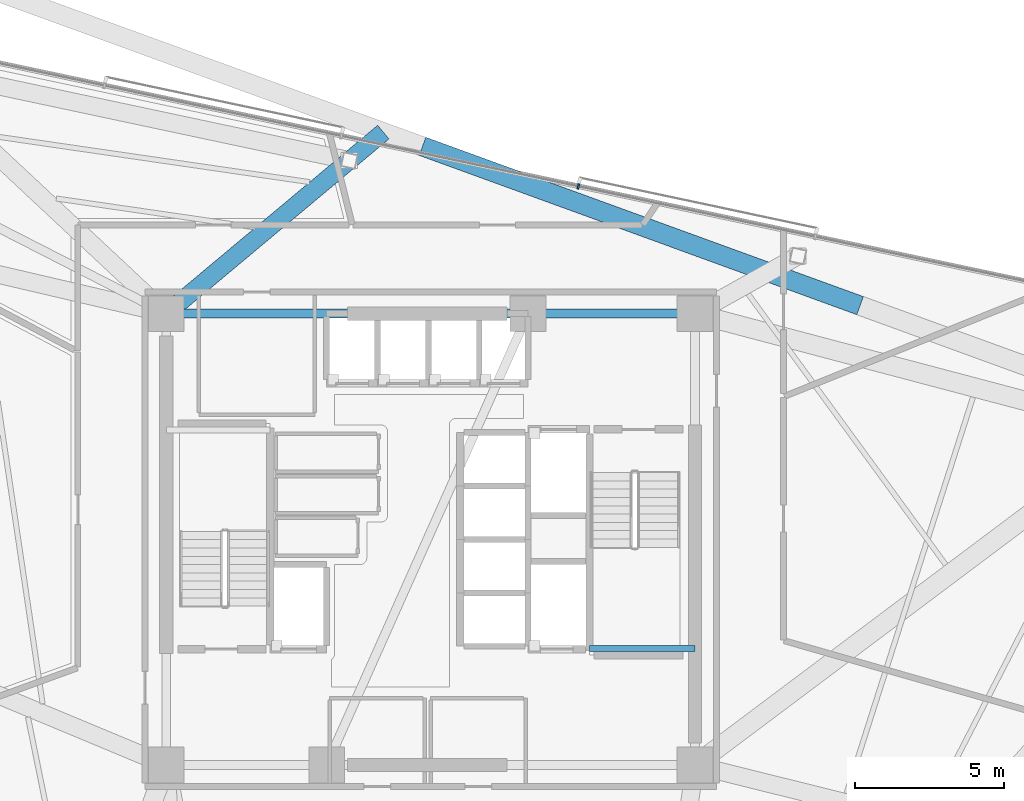
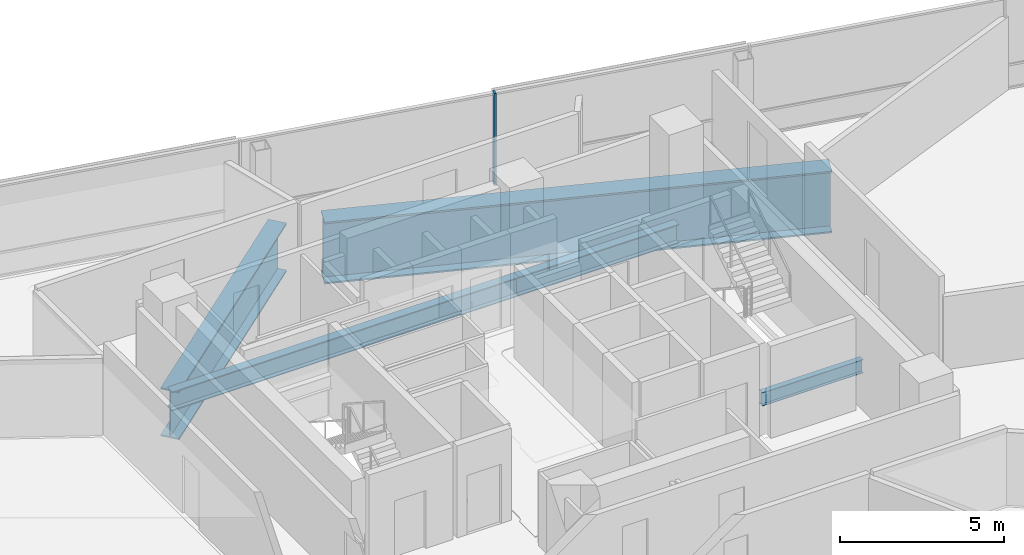
# One storey, part 6 of 17: 5 beams, 1 member, 1 element without a shape of its own.
"""IFC4 building model written with IfcOpenShell, lengths in metres."""

from ifc_helpers import new_model, si_unit, direction, frame, origin, origin_2d, place, context, subcontext, project, spatial, rectangle, i_section, extrude, material, layer, layer_set, material_profile, profile_set, type_object, element, aggregate, save


model = new_model("IFC4")

# Units and contexts
model_context = context("Model", 3, precision=1e-05, world=origin(), true_north=direction((0.0, 1.0)))
body_context = subcontext(model_context, "Body", "Model", "MODEL_VIEW")
ifc_project = project(units=[si_unit("LENGTHUNIT", "METRE"), si_unit("AREAUNIT", "SQUARE_METRE"), si_unit("VOLUMEUNIT", "CUBIC_METRE"), si_unit("PLANEANGLEUNIT", "RADIAN"), si_unit("MASSUNIT", "GRAM", prefix="KILO")], contexts=[model_context])

# Site, building, storey
site_placement = place(None, origin())
site = spatial("IfcSite", under=ifc_project, at=site_placement, CompositionType="ELEMENT")
building_placement = place(site_placement, origin())
building = spatial("IfcBuilding", under=site, at=building_placement, Name="Tharavind Bronze Gate", CompositionType="ELEMENT")
storey_placement = place(building_placement, frame((0.0, 0.0, 196.85009765625)))
storey = spatial("IfcBuildingStorey", under=building, at=storey_placement, Name="L50", CompositionType="ELEMENT", Elevation=196.85009765625)

# Curtain wall, member
ifc_material_1 = material(Name="Anodised Bronze Aluminium", Category="aluminium")
ifc_layer = layer(ifc_material_1, 0.219970703125)
ifc_layer_set = layer_set([ifc_layer], Name="Anodised Bronze Aluminium")
curtain_wall_type = type_object("IfcCurtainWallType", Name="UNITISED CURTAIN WALL MID OFFICE", PredefinedType="USERDEFINED", material=ifc_layer_set)
curtain_wall_placement = place(storey_placement, origin())
curtain_wall = element("IfcCurtainWall", 1, at=curtain_wall_placement, inside=storey, type_object=curtain_wall_type, Name="L50 unitised curtain wall mid office CW-L50-S3", ObjectType="UNITISED CURTAIN WALL", PredefinedType="USERDEFINED")
member_type = type_object("IfcMemberType", Name="CURTAIN WALL BRONZE MULLION 65X180", PredefinedType="MULLION", material=ifc_material_1)
member_placement = place(storey_placement, frame((4.97265625, 11.880615234375, 0.0), z_axis=(0.0, 0.0, 1.0), x_axis=(-0.978147600734, 0.207911690818, 0.0)))
member = element("IfcMember", 2, at=member_placement, type_object=member_type, Name="CW-L50-S3 mullion 4", PredefinedType="MULLION", context=body_context, shape_type="SweptSolid", body=[
    extrude(rectangle(XDim=0.06494140625, YDim=0.179931640625, at=origin_2d()), origin(), (0.0, 0.0, 1.0), 3.419921875),
])
aggregate(curtain_wall, [member])

# Beams
ifc_material_2 = material(Name="Steel S355", Category="steel")
ifc_material_profile_1 = material_profile(ifc_material_2, i_section(OverallWidth=0.199951171875, OverallDepth=0.5, WebThickness=0.01025390625, FlangeThickness=0.01611328125, at=origin_2d()), Name="IPE500")
ifc_profile_set_1 = profile_set([ifc_material_profile_1], Name="Steel S355")
beam_type_1 = type_object("IfcBeamType", Name="PRIMARY GIRDER IPE500", PredefinedType="USERDEFINED", material=ifc_profile_set_1)
beam_1_placement = place(storey_placement, frame((5.35009765625, -3.679931640625, 1.349853515625), z_axis=(1.0, 0.0, 0.0), x_axis=(0.0, 1.0, 0.0)))
element("IfcBeam", 3, at=beam_1_placement, inside=storey, type_object=beam_type_1, Name="L50 primary girder ipe500 BM-LD-ST2-L50-1", ObjectType="GIRDER", PredefinedType="USERDEFINED", context=body_context, shape_type="SweptSolid", body=[
    extrude(i_section(OverallWidth=0.199951171875, OverallDepth=0.5, WebThickness=0.01025390625, FlangeThickness=0.01611328125, at=origin_2d()), origin(), (0.0, 0.0, 1.0), 3.5498046875),
])
ifc_material_profile_2 = material_profile(ifc_material_2, i_section(OverallWidth=0.300048828125, OverallDepth=0.699951171875, WebThickness=0.01708984375, FlangeThickness=0.031982421875, at=origin_2d()), Name="HE700B")
ifc_profile_set_2 = profile_set([ifc_material_profile_2], Name="Steel S355")
beam_type_2 = type_object("IfcBeamType", Name="RING GIRDER HE700B", PredefinedType="USERDEFINED", material=ifc_profile_set_2)
beam_2_placement = place(storey_placement, frame((8.89990234375, 7.60009765625, -0.5400390625), z_axis=(-1.0, 0.0, 0.0), x_axis=(0.0, -1.0, 0.0)))
element("IfcBeam", 4, at=beam_2_placement, inside=storey, type_object=beam_type_2, Name="L50 ring girder he700b BM-L50-CR4", ObjectType="GIRDER", PredefinedType="USERDEFINED", context=body_context, shape_type="SweptSolid", body=[
    extrude(i_section(OverallWidth=0.300048828125, OverallDepth=0.699951171875, WebThickness=0.01708984375, FlangeThickness=0.031982421875, at=origin_2d()), origin(), (0.0, 0.0, 1.0), 5.619873046875),
])
beam_3_placement = place(storey_placement, frame((3.280029296875, 7.60009765625, -0.5400390625), z_axis=(-1.0, 0.0, 0.0), x_axis=(0.0, -1.0, 0.0)))
element("IfcBeam", 5, at=beam_3_placement, inside=storey, type_object=beam_type_2, Name="L50 ring girder he700b BM-L50-CR5", ObjectType="GIRDER", PredefinedType="USERDEFINED", context=body_context, shape_type="SweptSolid", body=[
    extrude(i_section(OverallWidth=0.300048828125, OverallDepth=0.699951171875, WebThickness=0.01708984375, FlangeThickness=0.031982421875, at=origin_2d()), origin(), (0.0, 0.0, 1.0), 12.179931640625),
])
ifc_material_3 = material(Name="Steel S460", Category="steel")
ifc_material_profile_3 = material_profile(ifc_material_3, i_section(OverallWidth=0.60009765625, OverallDepth=1.800048828125, WebThickness=0.031982421875, FlangeThickness=0.054931640625, at=origin_2d()), Name="PG1800X600")
ifc_profile_set_3 = profile_set([ifc_material_profile_3], Name="Steel S460")
beam_type_3 = type_object("IfcBeamType", Name="TRANSFER GIRDER 1800X600", PredefinedType="USERDEFINED", material=ifc_profile_set_3)
beam_4_placement = place(storey_placement, frame((-8.89990234375, 7.60009765625, -1.090087890625), z_axis=(0.767182569749, 0.64142879938, 0.0), x_axis=(-0.64142879938, 0.767182569749, 0.0)))
element("IfcBeam", 6, at=beam_4_placement, inside=storey, type_object=beam_type_3, Name="L50 transfer girder 1800x600 BM-L50-XFR11", ObjectType="TRANSFER GIRDER", PredefinedType="USERDEFINED", context=body_context, shape_type="SweptSolid", body=[
    extrude(i_section(OverallWidth=0.60009765625, OverallDepth=1.800048828125, WebThickness=0.031982421875, FlangeThickness=0.054931640625, at=origin_2d()), origin(), (0.0, 0.0, 1.0), 9.526611328125),
])
ifc_material_profile_4 = material_profile(ifc_material_3, i_section(OverallWidth=0.64990234375, OverallDepth=2.300048828125, WebThickness=0.035888671875, FlangeThickness=0.05810546875, at=origin_2d()), Name="PG2300X650")
ifc_profile_set_4 = profile_set([ifc_material_profile_4], Name="Steel S460")
beam_type_4 = type_object("IfcBeamType", Name="TRANSFER GIRDER 2300X650", PredefinedType="USERDEFINED", material=ifc_profile_set_4)
beam_5_placement = place(storey_placement, frame((14.461181640625, 7.867919921875, -1.340087890625), z_axis=(-0.939689735949, 0.342028069246, 0.0), x_axis=(-0.342028069246, -0.939689735949, 0.0)))
element("IfcBeam", 7, at=beam_5_placement, inside=storey, type_object=beam_type_4, Name="L50 transfer girder 2300x650 BM-L50-LRG10", ObjectType="TRANSFER GIRDER", PredefinedType="USERDEFINED", context=body_context, shape_type="SweptSolid", body=[
    extrude(i_section(OverallWidth=0.64990234375, OverallDepth=2.300048828125, WebThickness=0.035888671875, FlangeThickness=0.05810546875, at=origin_2d()), origin(), (0.0, 0.0, 1.0), 15.680908203125),
])

save(model, "model.ifc")
